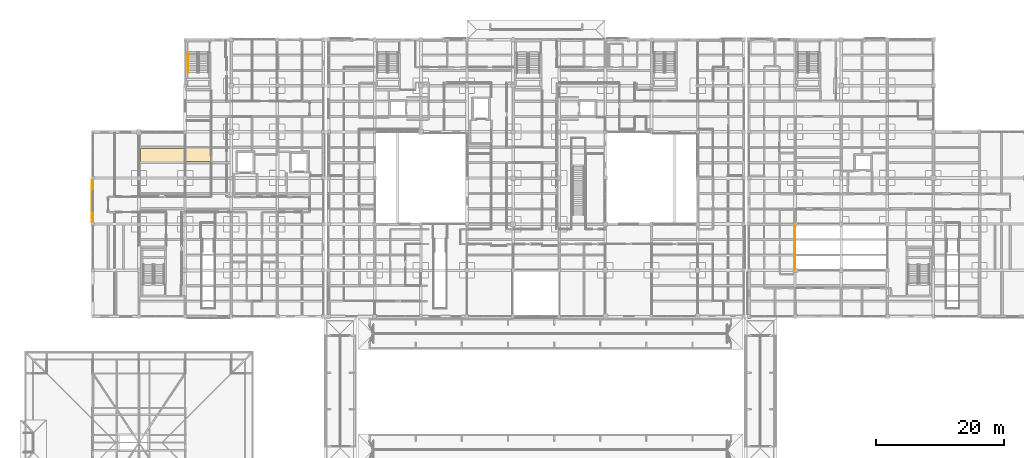
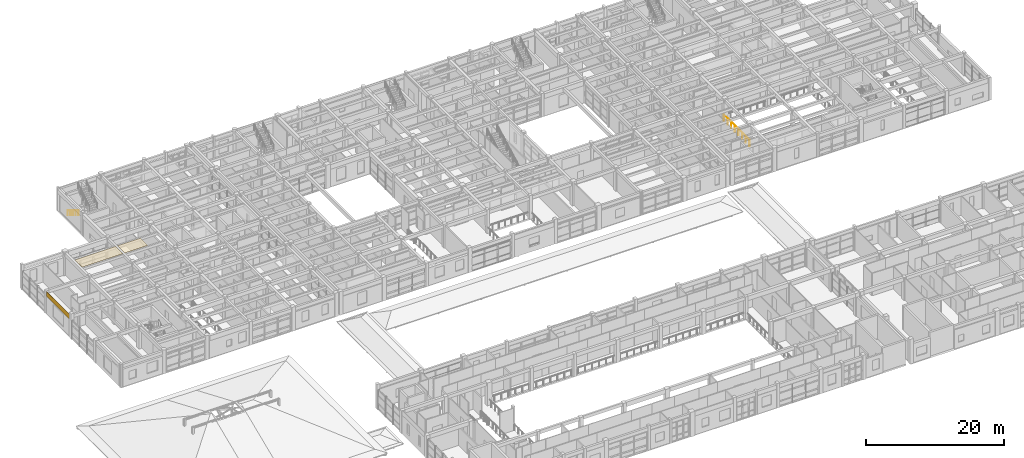
# One storey, part 103 of 110: 3 coverings, 2 railings.
"""IFC4 building model written with IfcOpenShell, lengths in metres."""

from ifc_helpers import new_model, si_unit, direction, frame, origin, origin_2d, place, context, subcontext, project, spatial, polyline, rectangle, circle, outline, extrude, material, layer, layer_set, type_object, element, save


model = new_model("IFC4")

# Units and contexts
model_context = context("Model", 3, precision=1e-05, world=origin(), true_north=direction((0.0, 1.0)))
body_context = subcontext(model_context, "Body", "Model", "MODEL_VIEW")
ifc_project = project(units=[si_unit("LENGTHUNIT", "METRE"), si_unit("AREAUNIT", "SQUARE_METRE"), si_unit("VOLUMEUNIT", "CUBIC_METRE"), si_unit("PLANEANGLEUNIT", "RADIAN"), si_unit("MASSUNIT", "GRAM", prefix="KILO")], contexts=[model_context])

# Site, building, storey
site_placement = place(None, origin())
site = spatial("IfcSite", under=ifc_project, at=site_placement, CompositionType="ELEMENT")
building_placement = place(site_placement, origin())
building = spatial("IfcBuilding", under=site, at=building_placement, Name="Steenspoor Specialist Clinic", CompositionType="ELEMENT")
storey_placement = place(building_placement, frame((0.0, 0.0, 4.800048828125)))
storey = spatial("IfcBuildingStorey", under=building, at=storey_placement, Name="L01", CompositionType="ELEMENT", Elevation=4.800048828125)

# Coverings
ifc_material_1 = material(Name="Washable acoustic mineral ceiling board", Category="gypsum")
ifc_layer_1 = layer(ifc_material_1, 0.02490234375)
ifc_layer_set_1 = layer_set([ifc_layer_1], Name="Washable acoustic mineral ceiling board")
covering_type_1 = type_object("IfcCoveringType", Name="COV-CEIL-ACOUSTIC", PredefinedType="CEILING", material=ifc_layer_set_1)
covering_1_placement = place(storey_placement, frame((0.0, 0.0, 3.925048828125)))
element("IfcCovering", 1, at=covering_1_placement, inside=storey, type_object=covering_type_1, Name="Acoustic Clinical Ceiling 113", PredefinedType="CEILING", context=body_context, shape_type="SweptSolid", body=[
    extrude(outline(polyline([(29.830078125, 91.39990234375), (29.830078125, 89.2900390625), (23.02001953125, 89.2900390625), (23.02001953125, 91.39990234375), (29.830078125, 91.39990234375)])), origin(), (0.0, 0.0, 1.0), 0.02490234375),
])
covering_2_placement = place(storey_placement, frame((0.0, 0.0, 3.925048828125)))
element("IfcCovering", 2, at=covering_2_placement, inside=storey, type_object=covering_type_1, Name="Acoustic Clinical Ceiling 114", PredefinedType="CEILING", context=body_context, shape_type="SweptSolid", body=[
    extrude(outline(polyline([(34.014892578125, 89.300048828125), (30.169921875, 89.300048828125), (30.169921875, 91.409912109375), (34.014892578125, 91.409912109375), (34.014892578125, 89.300048828125)])), origin(), (0.0, 0.0, 1.0), 0.02490234375),
])
ifc_material_2 = material(Name="Glazed ceramic relief spandrel cladding", Category="masonry")
ifc_layer_2 = layer(ifc_material_2, 0.034912109375)
ifc_layer_set_2 = layer_set([ifc_layer_2], Name="Glazed ceramic relief spandrel cladding")
covering_type_2 = type_object("IfcCoveringType", Name="COV-CLAD-CERAMIC", PredefinedType="CLADDING", material=ifc_layer_set_2)
covering_3_placement = place(storey_placement, frame((15.4599609375, 83.16259765625, 3.11474609375), z_axis=(0.0, 0.0, 1.0), x_axis=(0.0, 1.0, 0.0)))
element("IfcCovering", 3, at=covering_3_placement, inside=storey, type_object=covering_type_2, Name="Spandrel Cladding 71", PredefinedType="CLADDING", context=body_context, shape_type="SweptSolid", body=[
    extrude(rectangle(XDim=6.60498046875, YDim=0.0400390625, at=origin_2d()), origin(), (0.0, 0.0, 1.0), 0.840087890625),
])

# Railings
ifc_material_3 = material(Name="Painted architectural steel balustrade", Category="steel")
railing_type_1 = type_object("IfcRailingType", Name="RAIL-GUARD-1100", PredefinedType="GUARDRAIL", material=ifc_material_3)
railing_1_placement = place(storey_placement, frame((125.1201171875, 79.6298828125, 0.0)))
element("IfcRailing", 4, at=railing_1_placement, inside=storey, type_object=railing_type_1, Name="Atrium Gallery Guard V6 L01 4", PredefinedType="GUARDRAIL", context=body_context, shape_type="SweptSolid", body=[
    extrude(circle(Radius=0.02392578125, at=origin_2d()), frame((0.0, 0.0, 1.09619140625), z_axis=(0.0, -1.0, 0.0), x_axis=(1.0, 0.0, 0.0)), (0.0, 0.0, 1.0), 7.35986328125),
    extrude(circle(Radius=0.02099609375, at=origin_2d()), origin(), (0.0, 0.0, 1.0), 1.072021484375),
    extrude(circle(Radius=0.02099609375, at=origin_2d()), frame((0.0, -1.051513671875, 0.0)), (0.0, 0.0, 1.0), 1.072021484375),
    extrude(circle(Radius=0.02099609375, at=origin_2d()), frame((0.0, -2.102783203125, 0.0)), (0.0, 0.0, 1.0), 1.072021484375),
    extrude(circle(Radius=0.02099609375, at=origin_2d()), frame((0.0, -3.154296875, 0.0)), (0.0, 0.0, 1.0), 1.072021484375),
    extrude(circle(Radius=0.02099609375, at=origin_2d()), frame((0.0, -4.20556640625, 0.0)), (0.0, 0.0, 1.0), 1.072021484375),
    extrude(circle(Radius=0.02099609375, at=origin_2d()), frame((0.0, -5.257080078125, 0.0)), (0.0, 0.0, 1.0), 1.072021484375),
    extrude(circle(Radius=0.02099609375, at=origin_2d()), frame((0.0, -6.308349609375, 0.0)), (0.0, 0.0, 1.0), 1.072021484375),
    extrude(circle(Radius=0.02099609375, at=origin_2d()), frame((0.0, -7.35986328125, 0.0)), (0.0, 0.0, 1.0), 1.072021484375),
])
ifc_material_4 = material(Name="Brushed stainless steel clinical handrail", Category="steel")
railing_type_2 = type_object("IfcRailingType", Name="RAIL-HAND-900", PredefinedType="HANDRAIL", material=ifc_material_4)
railing_2_placement = place(storey_placement, frame((30.449951171875, 106.35009765625, 0.175048828125)))
element("IfcRailing", 5, at=railing_2_placement, inside=storey, type_object=railing_type_2, Name="L01 ST-V5A stair handrail 1", PredefinedType="HANDRAIL", context=body_context, shape_type="SweptSolid", body=[
    extrude(circle(Radius=0.02392578125, at=origin_2d()), frame((0.0, 0.0, 0.8759765625), z_axis=(0.0, -0.852195625947, 0.523223293744), x_axis=(1.0, 0.0, 0.0)), (0.0, 0.0, 1.0), 3.6787109375),
    extrude(circle(Radius=0.02099609375, at=origin_2d()), origin(), (0.0, 0.0, 1.0), 0.851806640625),
    extrude(circle(Radius=0.02099609375, at=origin_2d()), frame((0.0, -0.78369140625, 0.481201171875)), (0.0, 0.0, 1.0), 0.851806640625),
    extrude(circle(Radius=0.02099609375, at=origin_2d()), frame((0.0, -1.5673828125, 0.96240234375)), (0.0, 0.0, 1.0), 0.851806640625),
    extrude(circle(Radius=0.02099609375, at=origin_2d()), frame((0.0, -2.351318359375, 1.443603515625)), (0.0, 0.0, 1.0), 0.851806640625),
    extrude(circle(Radius=0.02099609375, at=origin_2d()), frame((0.0, -3.135009765625, 1.9248046875)), (0.0, 0.0, 1.0), 0.851806640625),
])

save(model, "model.ifc")
